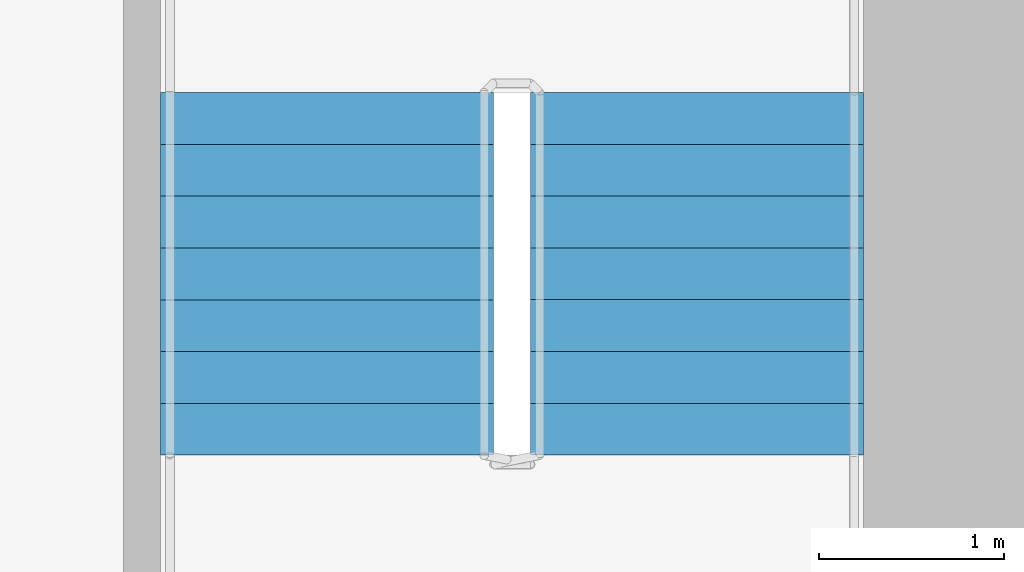
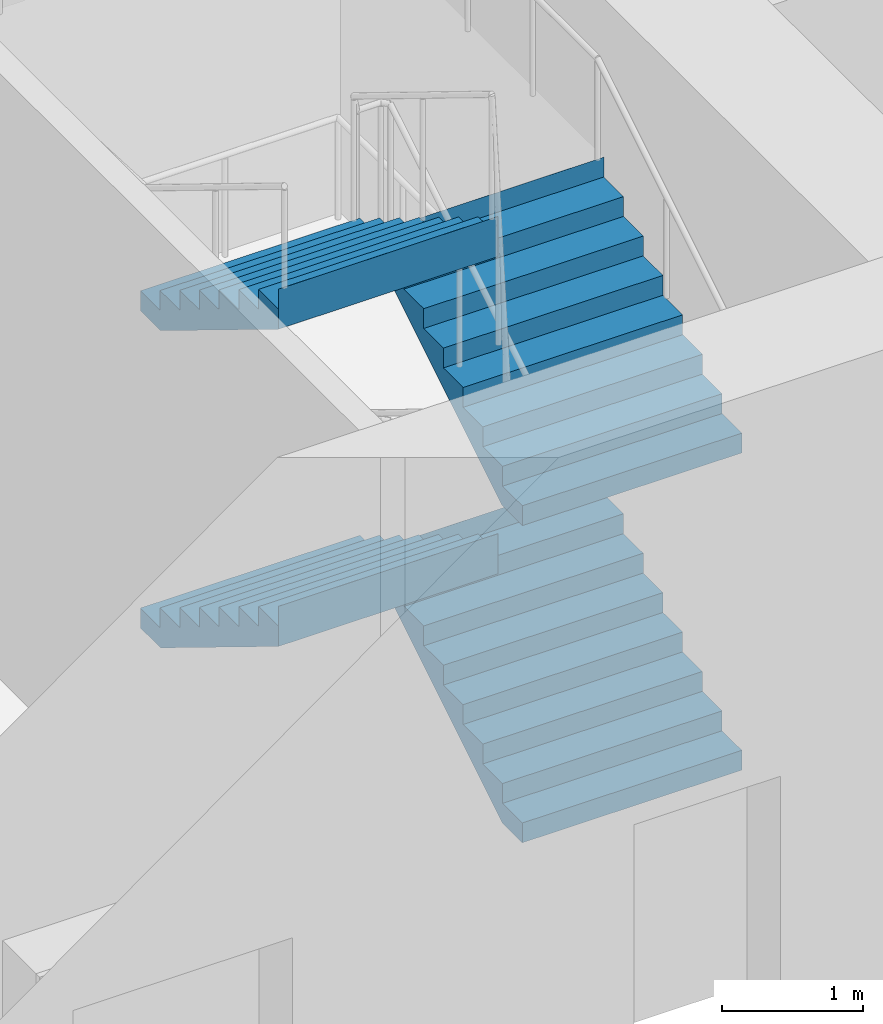
# One storey, part 7 of 10: 4 stair flights, 1 element without a shape of its own.
"""IFC4 building model written with IfcOpenShell, lengths in metres."""

from ifc_helpers import new_model, si_unit, direction, frame, origin, place, context, subcontext, project, spatial, polyline, outline, extrude, material, type_object, element, aggregate, save


model = new_model("IFC4")

# Units and contexts
model_context = context("Model", 3, precision=1e-05, world=origin(), true_north=direction((0.0, 1.0)))
body_context = subcontext(model_context, "Body", "Model", "MODEL_VIEW")
ifc_project = project(units=[si_unit("LENGTHUNIT", "METRE"), si_unit("AREAUNIT", "SQUARE_METRE"), si_unit("VOLUMEUNIT", "CUBIC_METRE"), si_unit("PLANEANGLEUNIT", "RADIAN"), si_unit("MASSUNIT", "GRAM", prefix="KILO")], contexts=[model_context])

# Site, building, storey
site_placement = place(None, origin())
site = spatial("IfcSite", under=ifc_project, at=site_placement, CompositionType="ELEMENT")
building_placement = place(site_placement, origin())
building = spatial("IfcBuilding", under=site, at=building_placement, Name="Tamorin Gate", CompositionType="ELEMENT")
storey_placement = place(building_placement, frame((0.0, 0.0, 73.60009765625)))
storey = spatial("IfcBuildingStorey", under=building, at=storey_placement, Name="L17", CompositionType="ELEMENT", Elevation=73.60009765625)

# Stair, stair flights
ifc_material = material(Name="Concrete C40/50", Category="concrete")
stair_type = type_object("IfcStairType", Name="Exit stair", PredefinedType="HALF_TURN_STAIR", material=ifc_material)
stair_placement = place(storey_placement, origin())
stair = element("IfcStair", 1, at=stair_placement, inside=storey, type_object=stair_type, Name="L17 stair ST3", PredefinedType="HALF_TURN_STAIR")
stair_flight_type = type_object("IfcStairFlightType", Name="Exit stair flight", PredefinedType="STRAIGHT", material=ifc_material)
stair_flight_1_placement = place(storey_placement, frame((58.10009765625, 62.800048828125, 0.0), z_axis=(0.0, 0.0, 1.0), x_axis=(0.0, 1.0, 0.0)))
stair_flight_1 = element("IfcStairFlight", 2, at=stair_flight_1_placement, type_object=stair_flight_type, Name="ST3 flight 1", NumberOfRisers=8, NumberOfTreads=7, PredefinedType="STRAIGHT", RiserHeight=0.171875, TreadLength=0.28, context=body_context, shape_type="SweptSolid", body=[
    extrude(outline(polyline([(-0.00048828125, 0.0), (-0.00048828125, 0.001708984375), (-0.00048828125, 0.00341796875), (-0.00048828125, 0.005126953125), (-0.00048828125, 0.0068359375), (-0.00048828125, 0.008544921875), (-0.00048828125, 0.01025390625), (-0.00048828125, 0.011962890625), (-0.00048828125, 0.013671875), (-0.00048828125, 0.015380859375), (-0.00048828125, 0.01708984375), (-0.00048828125, 0.018798828125), (-0.00048828125, 0.0205078125), (-0.00048828125, 0.022216796875), (-0.00048828125, 0.02392578125), (-0.00048828125, 0.025634765625), (-0.00048828125, 0.02734375), (-0.00048828125, 0.02880859375), (-0.00048828125, 0.030517578125), (-0.00048828125, 0.0322265625), (-0.00048828125, 0.033935546875), (-0.00048828125, 0.03564453125), (-0.00048828125, 0.037353515625), (-0.00048828125, 0.0390625), (-0.00048828125, 0.040771484375), (-0.00048828125, 0.04248046875), (-0.00048828125, 0.044189453125), (-0.00048828125, 0.0458984375), (-0.00048828125, 0.047607421875), (-0.00048828125, 0.04931640625), (-0.00048828125, 0.051025390625), (-0.00048828125, 0.052734375), (-0.00048828125, 0.054443359375), (-0.00048828125, 0.05615234375), (-0.00048828125, 0.057861328125), (-0.00048828125, 0.0595703125), (-0.00048828125, 0.061279296875), (-0.00048828125, 0.06298828125), (-0.00048828125, 0.064697265625), (-0.00048828125, 0.06640625), (-0.00048828125, 0.068115234375), (-0.00048828125, 0.06982421875), (-0.00048828125, 0.071533203125), (-0.00048828125, 0.0732421875), (-0.00048828125, 0.074951171875), (-0.00048828125, 0.07666015625), (-0.00048828125, 0.078369140625), (-0.00048828125, 0.080078125), (-0.00048828125, 0.081787109375), (-0.00048828125, 0.08349609375), (-0.00048828125, 0.085205078125), (-0.00048828125, 0.086669921875), (-0.00048828125, 0.08837890625), (-0.00048828125, 0.090087890625), (-0.00048828125, 0.091796875), (-0.00048828125, 0.093505859375), (-0.00048828125, 0.09521484375), (-0.00048828125, 0.096923828125), (-0.00048828125, 0.0986328125), (-0.00048828125, 0.100341796875), (-0.00048828125, 0.10205078125), (-0.00048828125, 0.103759765625), (-0.00048828125, 0.10546875), (-0.00048828125, 0.107177734375), (-0.00048828125, 0.10888671875), (-0.00048828125, 0.110595703125), (-0.00048828125, 0.1123046875), (-0.00048828125, 0.114013671875), (-0.00048828125, 0.11572265625), (-0.00048828125, 0.117431640625), (-0.00048828125, 0.119140625), (-0.00048828125, 0.120849609375), (-0.00048828125, 0.12255859375), (-0.00048828125, 0.124267578125), (-0.00048828125, 0.1259765625), (-0.00048828125, 0.127685546875), (-0.00048828125, 0.12939453125), (-0.00048828125, 0.131103515625), (-0.00048828125, 0.1328125), (-0.00048828125, 0.134521484375), (-0.00048828125, 0.13623046875), (-0.00048828125, 0.137939453125), (-0.00048828125, 0.1396484375), (-0.00048828125, 0.141357421875), (-0.00048828125, 0.14306640625), (-0.00048828125, 0.14453125), (-0.00048828125, 0.146240234375), (-0.00048828125, 0.14794921875), (-0.00048828125, 0.149658203125), (-0.00048828125, 0.1513671875), (-0.00048828125, 0.153076171875), (-0.00048828125, 0.15478515625), (-0.00048828125, 0.156494140625), (-0.00048828125, 0.158203125), (-0.00048828125, 0.159912109375), (-0.00048828125, 0.16162109375), (-0.00048828125, 0.163330078125), (-0.00048828125, 0.1650390625), (-0.00048828125, 0.166748046875), (-0.00048828125, 0.16845703125), (-0.00048828125, 0.170166015625), (-0.00048828125, 0.171875), (0.280029296875, 0.171875), (0.280029296875, 0.34375), (0.56005859375, 0.34375), (0.56005859375, 0.515625), (0.840087890625, 0.515625), (0.840087890625, 0.6875), (1.1201171875, 0.6875), (1.1201171875, 0.859375), (1.39990234375, 0.859375), (1.39990234375, 1.03125), (1.679931640625, 1.03125), (1.679931640625, 1.203125), (1.9599609375, 1.203125), (1.9599609375, 1.375), (1.96044921875, 1.375), (1.96044921875, 1.37158203125), (1.96044921875, 1.3681640625), (1.96044921875, 1.36474609375), (1.96044921875, 1.361328125), (1.96044921875, 1.357666015625), (1.96044921875, 1.354248046875), (1.96044921875, 1.350830078125), (1.96044921875, 1.347412109375), (1.96044921875, 1.343994140625), (1.96044921875, 1.340576171875), (1.96044921875, 1.337158203125), (1.96044921875, 1.333740234375), (1.96044921875, 1.330322265625), (1.96044921875, 1.326904296875), (1.96044921875, 1.3232421875), (1.96044921875, 1.31982421875), (1.96044921875, 1.31640625), (1.96044921875, 1.31298828125), (1.96044921875, 1.3095703125), (1.96044921875, 1.30615234375), (1.96044921875, 1.302734375), (1.96044921875, 1.29931640625), (1.96044921875, 1.2958984375), (1.96044921875, 1.29248046875), (1.96044921875, 1.288818359375), (1.96044921875, 1.285400390625), (1.96044921875, 1.281982421875), (1.96044921875, 1.278564453125), (1.96044921875, 1.275146484375), (1.96044921875, 1.271728515625), (1.96044921875, 1.268310546875), (1.96044921875, 1.264892578125), (1.96044921875, 1.261474609375), (1.96044921875, 1.2578125), (1.96044921875, 1.25439453125), (1.96044921875, 1.2509765625), (1.96044921875, 1.24755859375), (1.96044921875, 1.244140625), (1.96044921875, 1.24072265625), (1.96044921875, 1.2373046875), (1.96044921875, 1.23388671875), (1.96044921875, 1.23046875), (1.96044921875, 1.22705078125), (1.96044921875, 1.223388671875), (1.96044921875, 1.219970703125), (1.96044921875, 1.216552734375), (1.96044921875, 1.213134765625), (1.96044921875, 1.209716796875), (1.96044921875, 1.206298828125), (1.96044921875, 1.202880859375), (1.96044921875, 1.199462890625), (1.96044921875, 1.196044921875), (1.96044921875, 1.192626953125), (1.96044921875, 1.18896484375), (1.96044921875, 1.185546875), (1.96044921875, 1.18212890625), (1.96044921875, 1.1787109375), (1.96044921875, 1.17529296875), (1.96044921875, 1.171875), (1.96044921875, 1.16845703125), (1.96044921875, 1.1650390625), (1.96044921875, 1.16162109375), (1.96044921875, 1.157958984375), (1.96044921875, 1.154541015625), (1.96044921875, 1.151123046875), (1.96044921875, 1.147705078125), (1.96044921875, 1.144287109375), (1.96044921875, 1.140869140625), (1.96044921875, 1.137451171875), (1.96044921875, 1.134033203125), (1.96044921875, 1.130615234375), (1.96044921875, 1.127197265625), (1.96044921875, 1.12353515625), (1.96044921875, 1.1201171875), (1.96044921875, 1.11669921875), (1.96044921875, 1.11328125), (1.96044921875, 1.10986328125), (1.96044921875, 1.1064453125), (1.96044921875, 1.10302734375), (1.96044921875, 1.099609375), (1.96044921875, 1.09619140625), (1.96044921875, 1.0927734375), (1.96044921875, 1.089111328125), (1.96044921875, 1.085693359375), (1.96044921875, 1.082275390625), (1.96044921875, 1.078857421875), (1.96044921875, 1.075439453125), (1.96044921875, 1.072021484375), (1.96044921875, 1.068603515625), (1.96044921875, 1.065185546875), (1.96044921875, 1.061767578125), (1.96044921875, 1.05810546875), (1.96044921875, 1.0546875), (1.96044921875, 1.05126953125), (1.96044921875, 1.0478515625), (1.96044921875, 1.04443359375), (1.96044921875, 1.041015625), (1.96044921875, 1.03759765625), (1.96044921875, 1.0341796875), (1.96044921875, 1.03076171875), (1.96044921875, 1.02734375), (1.9599609375, 1.02734375), (0.28662109375, 0.0), (-0.00048828125, 0.0)])), frame((0.0, 0.89990234375, 0.0), z_axis=(0.0, -1.0, 0.0), x_axis=(1.0, 0.0, 0.0)), (0.0, 0.0, 1.0), 1.800048828125),
])
stair_flight_2_placement = place(storey_placement, frame((56.10009765625, 64.760009765625, 1.375), z_axis=(0.0, 0.0, 1.0), x_axis=(0.0, -1.0, 0.0)))
stair_flight_2 = element("IfcStairFlight", 3, at=stair_flight_2_placement, type_object=stair_flight_type, Name="ST3 flight 2", NumberOfRisers=8, NumberOfTreads=7, PredefinedType="STRAIGHT", RiserHeight=0.171875, TreadLength=0.28, context=body_context, shape_type="SweptSolid", body=[
    extrude(outline(polyline([(-0.00048828125, 0.0), (-0.00048828125, 0.001708984375), (-0.00048828125, 0.00341796875), (-0.00048828125, 0.005126953125), (-0.00048828125, 0.0068359375), (-0.00048828125, 0.008544921875), (-0.00048828125, 0.01025390625), (-0.00048828125, 0.011962890625), (-0.00048828125, 0.013671875), (-0.00048828125, 0.015380859375), (-0.00048828125, 0.01708984375), (-0.00048828125, 0.018798828125), (-0.00048828125, 0.0205078125), (-0.00048828125, 0.022216796875), (-0.00048828125, 0.02392578125), (-0.00048828125, 0.025634765625), (-0.00048828125, 0.02734375), (-0.00048828125, 0.02880859375), (-0.00048828125, 0.030517578125), (-0.00048828125, 0.0322265625), (-0.00048828125, 0.033935546875), (-0.00048828125, 0.03564453125), (-0.00048828125, 0.037353515625), (-0.00048828125, 0.0390625), (-0.00048828125, 0.040771484375), (-0.00048828125, 0.04248046875), (-0.00048828125, 0.044189453125), (-0.00048828125, 0.0458984375), (-0.00048828125, 0.047607421875), (-0.00048828125, 0.04931640625), (-0.00048828125, 0.051025390625), (-0.00048828125, 0.052734375), (-0.00048828125, 0.054443359375), (-0.00048828125, 0.05615234375), (-0.00048828125, 0.057861328125), (-0.00048828125, 0.0595703125), (-0.00048828125, 0.061279296875), (-0.00048828125, 0.06298828125), (-0.00048828125, 0.064697265625), (-0.00048828125, 0.06640625), (-0.00048828125, 0.068115234375), (-0.00048828125, 0.06982421875), (-0.00048828125, 0.071533203125), (-0.00048828125, 0.0732421875), (-0.00048828125, 0.074951171875), (-0.00048828125, 0.07666015625), (-0.00048828125, 0.078369140625), (-0.00048828125, 0.080078125), (-0.00048828125, 0.081787109375), (-0.00048828125, 0.08349609375), (-0.00048828125, 0.085205078125), (-0.00048828125, 0.086669921875), (-0.00048828125, 0.08837890625), (-0.00048828125, 0.090087890625), (-0.00048828125, 0.091796875), (-0.00048828125, 0.093505859375), (-0.00048828125, 0.09521484375), (-0.00048828125, 0.096923828125), (-0.00048828125, 0.0986328125), (-0.00048828125, 0.100341796875), (-0.00048828125, 0.10205078125), (-0.00048828125, 0.103759765625), (-0.00048828125, 0.10546875), (-0.00048828125, 0.107177734375), (-0.00048828125, 0.10888671875), (-0.00048828125, 0.110595703125), (-0.00048828125, 0.1123046875), (-0.00048828125, 0.114013671875), (-0.00048828125, 0.11572265625), (-0.00048828125, 0.117431640625), (-0.00048828125, 0.119140625), (-0.00048828125, 0.120849609375), (-0.00048828125, 0.12255859375), (-0.00048828125, 0.124267578125), (-0.00048828125, 0.1259765625), (-0.00048828125, 0.127685546875), (-0.00048828125, 0.12939453125), (-0.00048828125, 0.131103515625), (-0.00048828125, 0.1328125), (-0.00048828125, 0.134521484375), (-0.00048828125, 0.13623046875), (-0.00048828125, 0.137939453125), (-0.00048828125, 0.1396484375), (-0.00048828125, 0.141357421875), (-0.00048828125, 0.14306640625), (-0.00048828125, 0.14453125), (-0.00048828125, 0.146240234375), (-0.00048828125, 0.14794921875), (-0.00048828125, 0.149658203125), (-0.00048828125, 0.1513671875), (-0.00048828125, 0.153076171875), (-0.00048828125, 0.15478515625), (-0.00048828125, 0.156494140625), (-0.00048828125, 0.158203125), (-0.00048828125, 0.159912109375), (-0.00048828125, 0.16162109375), (-0.00048828125, 0.163330078125), (-0.00048828125, 0.1650390625), (-0.00048828125, 0.166748046875), (-0.00048828125, 0.16845703125), (-0.00048828125, 0.170166015625), (-0.00048828125, 0.171875), (0.280029296875, 0.171875), (0.280029296875, 0.34375), (0.56005859375, 0.34375), (0.56005859375, 0.515625), (0.840087890625, 0.515625), (0.840087890625, 0.6875), (1.1201171875, 0.6875), (1.1201171875, 0.859375), (1.39990234375, 0.859375), (1.39990234375, 1.03125), (1.679931640625, 1.03125), (1.679931640625, 1.203125), (1.9599609375, 1.203125), (1.9599609375, 1.375), (1.96044921875, 1.375), (1.96044921875, 1.37158203125), (1.96044921875, 1.3681640625), (1.96044921875, 1.36474609375), (1.96044921875, 1.361328125), (1.96044921875, 1.357666015625), (1.96044921875, 1.354248046875), (1.96044921875, 1.350830078125), (1.96044921875, 1.347412109375), (1.96044921875, 1.343994140625), (1.96044921875, 1.340576171875), (1.96044921875, 1.337158203125), (1.96044921875, 1.333740234375), (1.96044921875, 1.330322265625), (1.96044921875, 1.326904296875), (1.96044921875, 1.3232421875), (1.96044921875, 1.31982421875), (1.96044921875, 1.31640625), (1.96044921875, 1.31298828125), (1.96044921875, 1.3095703125), (1.96044921875, 1.30615234375), (1.96044921875, 1.302734375), (1.96044921875, 1.29931640625), (1.96044921875, 1.2958984375), (1.96044921875, 1.29248046875), (1.96044921875, 1.288818359375), (1.96044921875, 1.285400390625), (1.96044921875, 1.281982421875), (1.96044921875, 1.278564453125), (1.96044921875, 1.275146484375), (1.96044921875, 1.271728515625), (1.96044921875, 1.268310546875), (1.96044921875, 1.264892578125), (1.96044921875, 1.261474609375), (1.96044921875, 1.2578125), (1.96044921875, 1.25439453125), (1.96044921875, 1.2509765625), (1.96044921875, 1.24755859375), (1.96044921875, 1.244140625), (1.96044921875, 1.24072265625), (1.96044921875, 1.2373046875), (1.96044921875, 1.23388671875), (1.96044921875, 1.23046875), (1.96044921875, 1.22705078125), (1.96044921875, 1.223388671875), (1.96044921875, 1.219970703125), (1.96044921875, 1.216552734375), (1.96044921875, 1.213134765625), (1.96044921875, 1.209716796875), (1.96044921875, 1.206298828125), (1.96044921875, 1.202880859375), (1.96044921875, 1.199462890625), (1.96044921875, 1.196044921875), (1.96044921875, 1.192626953125), (1.96044921875, 1.18896484375), (1.96044921875, 1.185546875), (1.96044921875, 1.18212890625), (1.96044921875, 1.1787109375), (1.96044921875, 1.17529296875), (1.96044921875, 1.171875), (1.96044921875, 1.16845703125), (1.96044921875, 1.1650390625), (1.96044921875, 1.16162109375), (1.96044921875, 1.157958984375), (1.96044921875, 1.154541015625), (1.96044921875, 1.151123046875), (1.96044921875, 1.147705078125), (1.96044921875, 1.144287109375), (1.96044921875, 1.140869140625), (1.96044921875, 1.137451171875), (1.96044921875, 1.134033203125), (1.96044921875, 1.130615234375), (1.96044921875, 1.127197265625), (1.96044921875, 1.12353515625), (1.96044921875, 1.1201171875), (1.96044921875, 1.11669921875), (1.96044921875, 1.11328125), (1.96044921875, 1.10986328125), (1.96044921875, 1.1064453125), (1.96044921875, 1.10302734375), (1.96044921875, 1.099609375), (1.96044921875, 1.09619140625), (1.96044921875, 1.0927734375), (1.96044921875, 1.089111328125), (1.96044921875, 1.085693359375), (1.96044921875, 1.082275390625), (1.96044921875, 1.078857421875), (1.96044921875, 1.075439453125), (1.96044921875, 1.072021484375), (1.96044921875, 1.068603515625), (1.96044921875, 1.065185546875), (1.96044921875, 1.061767578125), (1.96044921875, 1.05810546875), (1.96044921875, 1.0546875), (1.96044921875, 1.05126953125), (1.96044921875, 1.0478515625), (1.96044921875, 1.04443359375), (1.96044921875, 1.041015625), (1.96044921875, 1.03759765625), (1.96044921875, 1.0341796875), (1.96044921875, 1.03076171875), (1.96044921875, 1.02734375), (1.9599609375, 1.02734375), (0.28662109375, 0.0), (-0.00048828125, 0.0)])), frame((0.0, 0.89990234375, 0.0), z_axis=(0.0, -1.0, 0.0), x_axis=(1.0, 0.0, 0.0)), (0.0, 0.0, 1.0), 1.800048828125),
])
stair_flight_3_placement = place(storey_placement, frame((58.10009765625, 62.800048828125, 2.75), z_axis=(0.0, 0.0, 1.0), x_axis=(0.0, 1.0, 0.0)))
stair_flight_3 = element("IfcStairFlight", 4, at=stair_flight_3_placement, type_object=stair_flight_type, Name="ST3 flight 3", NumberOfRisers=8, NumberOfTreads=7, PredefinedType="STRAIGHT", RiserHeight=0.171875, TreadLength=0.28, context=body_context, shape_type="SweptSolid", body=[
    extrude(outline(polyline([(-0.00048828125, 0.0), (-0.00048828125, 0.001708984375), (-0.00048828125, 0.00341796875), (-0.00048828125, 0.005126953125), (-0.00048828125, 0.0068359375), (-0.00048828125, 0.008544921875), (-0.00048828125, 0.01025390625), (-0.00048828125, 0.011962890625), (-0.00048828125, 0.013671875), (-0.00048828125, 0.015380859375), (-0.00048828125, 0.01708984375), (-0.00048828125, 0.018798828125), (-0.00048828125, 0.0205078125), (-0.00048828125, 0.022216796875), (-0.00048828125, 0.02392578125), (-0.00048828125, 0.025634765625), (-0.00048828125, 0.02734375), (-0.00048828125, 0.02880859375), (-0.00048828125, 0.030517578125), (-0.00048828125, 0.0322265625), (-0.00048828125, 0.033935546875), (-0.00048828125, 0.03564453125), (-0.00048828125, 0.037353515625), (-0.00048828125, 0.0390625), (-0.00048828125, 0.040771484375), (-0.00048828125, 0.04248046875), (-0.00048828125, 0.044189453125), (-0.00048828125, 0.0458984375), (-0.00048828125, 0.047607421875), (-0.00048828125, 0.04931640625), (-0.00048828125, 0.051025390625), (-0.00048828125, 0.052734375), (-0.00048828125, 0.054443359375), (-0.00048828125, 0.05615234375), (-0.00048828125, 0.057861328125), (-0.00048828125, 0.0595703125), (-0.00048828125, 0.061279296875), (-0.00048828125, 0.06298828125), (-0.00048828125, 0.064697265625), (-0.00048828125, 0.06640625), (-0.00048828125, 0.068115234375), (-0.00048828125, 0.06982421875), (-0.00048828125, 0.071533203125), (-0.00048828125, 0.0732421875), (-0.00048828125, 0.074951171875), (-0.00048828125, 0.07666015625), (-0.00048828125, 0.078369140625), (-0.00048828125, 0.080078125), (-0.00048828125, 0.081787109375), (-0.00048828125, 0.08349609375), (-0.00048828125, 0.085205078125), (-0.00048828125, 0.086669921875), (-0.00048828125, 0.08837890625), (-0.00048828125, 0.090087890625), (-0.00048828125, 0.091796875), (-0.00048828125, 0.093505859375), (-0.00048828125, 0.09521484375), (-0.00048828125, 0.096923828125), (-0.00048828125, 0.0986328125), (-0.00048828125, 0.100341796875), (-0.00048828125, 0.10205078125), (-0.00048828125, 0.103759765625), (-0.00048828125, 0.10546875), (-0.00048828125, 0.107177734375), (-0.00048828125, 0.10888671875), (-0.00048828125, 0.110595703125), (-0.00048828125, 0.1123046875), (-0.00048828125, 0.114013671875), (-0.00048828125, 0.11572265625), (-0.00048828125, 0.117431640625), (-0.00048828125, 0.119140625), (-0.00048828125, 0.120849609375), (-0.00048828125, 0.12255859375), (-0.00048828125, 0.124267578125), (-0.00048828125, 0.1259765625), (-0.00048828125, 0.127685546875), (-0.00048828125, 0.12939453125), (-0.00048828125, 0.131103515625), (-0.00048828125, 0.1328125), (-0.00048828125, 0.134521484375), (-0.00048828125, 0.13623046875), (-0.00048828125, 0.137939453125), (-0.00048828125, 0.1396484375), (-0.00048828125, 0.141357421875), (-0.00048828125, 0.14306640625), (-0.00048828125, 0.14453125), (-0.00048828125, 0.146240234375), (-0.00048828125, 0.14794921875), (-0.00048828125, 0.149658203125), (-0.00048828125, 0.1513671875), (-0.00048828125, 0.153076171875), (-0.00048828125, 0.15478515625), (-0.00048828125, 0.156494140625), (-0.00048828125, 0.158203125), (-0.00048828125, 0.159912109375), (-0.00048828125, 0.16162109375), (-0.00048828125, 0.163330078125), (-0.00048828125, 0.1650390625), (-0.00048828125, 0.166748046875), (-0.00048828125, 0.16845703125), (-0.00048828125, 0.170166015625), (-0.00048828125, 0.171875), (0.280029296875, 0.171875), (0.280029296875, 0.34375), (0.56005859375, 0.34375), (0.56005859375, 0.515625), (0.840087890625, 0.515625), (0.840087890625, 0.6875), (1.1201171875, 0.6875), (1.1201171875, 0.859375), (1.39990234375, 0.859375), (1.39990234375, 1.03125), (1.679931640625, 1.03125), (1.679931640625, 1.203125), (1.9599609375, 1.203125), (1.9599609375, 1.375), (1.96044921875, 1.375), (1.96044921875, 1.37158203125), (1.96044921875, 1.3681640625), (1.96044921875, 1.36474609375), (1.96044921875, 1.361328125), (1.96044921875, 1.357666015625), (1.96044921875, 1.354248046875), (1.96044921875, 1.350830078125), (1.96044921875, 1.347412109375), (1.96044921875, 1.343994140625), (1.96044921875, 1.340576171875), (1.96044921875, 1.337158203125), (1.96044921875, 1.333740234375), (1.96044921875, 1.330322265625), (1.96044921875, 1.326904296875), (1.96044921875, 1.3232421875), (1.96044921875, 1.31982421875), (1.96044921875, 1.31640625), (1.96044921875, 1.31298828125), (1.96044921875, 1.3095703125), (1.96044921875, 1.30615234375), (1.96044921875, 1.302734375), (1.96044921875, 1.29931640625), (1.96044921875, 1.2958984375), (1.96044921875, 1.29248046875), (1.96044921875, 1.288818359375), (1.96044921875, 1.285400390625), (1.96044921875, 1.281982421875), (1.96044921875, 1.278564453125), (1.96044921875, 1.275146484375), (1.96044921875, 1.271728515625), (1.96044921875, 1.268310546875), (1.96044921875, 1.264892578125), (1.96044921875, 1.261474609375), (1.96044921875, 1.2578125), (1.96044921875, 1.25439453125), (1.96044921875, 1.2509765625), (1.96044921875, 1.24755859375), (1.96044921875, 1.244140625), (1.96044921875, 1.24072265625), (1.96044921875, 1.2373046875), (1.96044921875, 1.23388671875), (1.96044921875, 1.23046875), (1.96044921875, 1.22705078125), (1.96044921875, 1.223388671875), (1.96044921875, 1.219970703125), (1.96044921875, 1.216552734375), (1.96044921875, 1.213134765625), (1.96044921875, 1.209716796875), (1.96044921875, 1.206298828125), (1.96044921875, 1.202880859375), (1.96044921875, 1.199462890625), (1.96044921875, 1.196044921875), (1.96044921875, 1.192626953125), (1.96044921875, 1.18896484375), (1.96044921875, 1.185546875), (1.96044921875, 1.18212890625), (1.96044921875, 1.1787109375), (1.96044921875, 1.17529296875), (1.96044921875, 1.171875), (1.96044921875, 1.16845703125), (1.96044921875, 1.1650390625), (1.96044921875, 1.16162109375), (1.96044921875, 1.157958984375), (1.96044921875, 1.154541015625), (1.96044921875, 1.151123046875), (1.96044921875, 1.147705078125), (1.96044921875, 1.144287109375), (1.96044921875, 1.140869140625), (1.96044921875, 1.137451171875), (1.96044921875, 1.134033203125), (1.96044921875, 1.130615234375), (1.96044921875, 1.127197265625), (1.96044921875, 1.12353515625), (1.96044921875, 1.1201171875), (1.96044921875, 1.11669921875), (1.96044921875, 1.11328125), (1.96044921875, 1.10986328125), (1.96044921875, 1.1064453125), (1.96044921875, 1.10302734375), (1.96044921875, 1.099609375), (1.96044921875, 1.09619140625), (1.96044921875, 1.0927734375), (1.96044921875, 1.089111328125), (1.96044921875, 1.085693359375), (1.96044921875, 1.082275390625), (1.96044921875, 1.078857421875), (1.96044921875, 1.075439453125), (1.96044921875, 1.072021484375), (1.96044921875, 1.068603515625), (1.96044921875, 1.065185546875), (1.96044921875, 1.061767578125), (1.96044921875, 1.05810546875), (1.96044921875, 1.0546875), (1.96044921875, 1.05126953125), (1.96044921875, 1.0478515625), (1.96044921875, 1.04443359375), (1.96044921875, 1.041015625), (1.96044921875, 1.03759765625), (1.96044921875, 1.0341796875), (1.96044921875, 1.03076171875), (1.96044921875, 1.02734375), (1.9599609375, 1.02734375), (0.28662109375, 0.0), (-0.00048828125, 0.0)])), frame((0.0, 0.89990234375, 0.0), z_axis=(0.0, -1.0, 0.0), x_axis=(1.0, 0.0, 0.0)), (0.0, 0.0, 1.0), 1.800048828125),
])
stair_flight_4_placement = place(storey_placement, frame((56.10009765625, 64.760009765625, 4.125), z_axis=(0.0, 0.0, 1.0), x_axis=(0.0, -1.0, 0.0)))
stair_flight_4 = element("IfcStairFlight", 5, at=stair_flight_4_placement, type_object=stair_flight_type, Name="ST3 flight 4", NumberOfRisers=8, NumberOfTreads=7, PredefinedType="STRAIGHT", RiserHeight=0.171875, TreadLength=0.28, context=body_context, shape_type="SweptSolid", body=[
    extrude(outline(polyline([(-0.00048828125, 0.0), (-0.00048828125, 0.001708984375), (-0.00048828125, 0.00341796875), (-0.00048828125, 0.005126953125), (-0.00048828125, 0.0068359375), (-0.00048828125, 0.008544921875), (-0.00048828125, 0.01025390625), (-0.00048828125, 0.011962890625), (-0.00048828125, 0.013671875), (-0.00048828125, 0.015380859375), (-0.00048828125, 0.01708984375), (-0.00048828125, 0.018798828125), (-0.00048828125, 0.0205078125), (-0.00048828125, 0.022216796875), (-0.00048828125, 0.02392578125), (-0.00048828125, 0.025634765625), (-0.00048828125, 0.02734375), (-0.00048828125, 0.02880859375), (-0.00048828125, 0.030517578125), (-0.00048828125, 0.0322265625), (-0.00048828125, 0.033935546875), (-0.00048828125, 0.03564453125), (-0.00048828125, 0.037353515625), (-0.00048828125, 0.0390625), (-0.00048828125, 0.040771484375), (-0.00048828125, 0.04248046875), (-0.00048828125, 0.044189453125), (-0.00048828125, 0.0458984375), (-0.00048828125, 0.047607421875), (-0.00048828125, 0.04931640625), (-0.00048828125, 0.051025390625), (-0.00048828125, 0.052734375), (-0.00048828125, 0.054443359375), (-0.00048828125, 0.05615234375), (-0.00048828125, 0.057861328125), (-0.00048828125, 0.0595703125), (-0.00048828125, 0.061279296875), (-0.00048828125, 0.06298828125), (-0.00048828125, 0.064697265625), (-0.00048828125, 0.06640625), (-0.00048828125, 0.068115234375), (-0.00048828125, 0.06982421875), (-0.00048828125, 0.071533203125), (-0.00048828125, 0.0732421875), (-0.00048828125, 0.074951171875), (-0.00048828125, 0.07666015625), (-0.00048828125, 0.078369140625), (-0.00048828125, 0.080078125), (-0.00048828125, 0.081787109375), (-0.00048828125, 0.08349609375), (-0.00048828125, 0.085205078125), (-0.00048828125, 0.086669921875), (-0.00048828125, 0.08837890625), (-0.00048828125, 0.090087890625), (-0.00048828125, 0.091796875), (-0.00048828125, 0.093505859375), (-0.00048828125, 0.09521484375), (-0.00048828125, 0.096923828125), (-0.00048828125, 0.0986328125), (-0.00048828125, 0.100341796875), (-0.00048828125, 0.10205078125), (-0.00048828125, 0.103759765625), (-0.00048828125, 0.10546875), (-0.00048828125, 0.107177734375), (-0.00048828125, 0.10888671875), (-0.00048828125, 0.110595703125), (-0.00048828125, 0.1123046875), (-0.00048828125, 0.114013671875), (-0.00048828125, 0.11572265625), (-0.00048828125, 0.117431640625), (-0.00048828125, 0.119140625), (-0.00048828125, 0.120849609375), (-0.00048828125, 0.12255859375), (-0.00048828125, 0.124267578125), (-0.00048828125, 0.1259765625), (-0.00048828125, 0.127685546875), (-0.00048828125, 0.12939453125), (-0.00048828125, 0.131103515625), (-0.00048828125, 0.1328125), (-0.00048828125, 0.134521484375), (-0.00048828125, 0.13623046875), (-0.00048828125, 0.137939453125), (-0.00048828125, 0.1396484375), (-0.00048828125, 0.141357421875), (-0.00048828125, 0.14306640625), (-0.00048828125, 0.14453125), (-0.00048828125, 0.146240234375), (-0.00048828125, 0.14794921875), (-0.00048828125, 0.149658203125), (-0.00048828125, 0.1513671875), (-0.00048828125, 0.153076171875), (-0.00048828125, 0.15478515625), (-0.00048828125, 0.156494140625), (-0.00048828125, 0.158203125), (-0.00048828125, 0.159912109375), (-0.00048828125, 0.16162109375), (-0.00048828125, 0.163330078125), (-0.00048828125, 0.1650390625), (-0.00048828125, 0.166748046875), (-0.00048828125, 0.16845703125), (-0.00048828125, 0.170166015625), (-0.00048828125, 0.171875), (0.280029296875, 0.171875), (0.280029296875, 0.34375), (0.56005859375, 0.34375), (0.56005859375, 0.515625), (0.840087890625, 0.515625), (0.840087890625, 0.6875), (1.1201171875, 0.6875), (1.1201171875, 0.859375), (1.39990234375, 0.859375), (1.39990234375, 1.03125), (1.679931640625, 1.03125), (1.679931640625, 1.203125), (1.9599609375, 1.203125), (1.9599609375, 1.375), (1.96044921875, 1.375), (1.96044921875, 1.37158203125), (1.96044921875, 1.3681640625), (1.96044921875, 1.36474609375), (1.96044921875, 1.361328125), (1.96044921875, 1.357666015625), (1.96044921875, 1.354248046875), (1.96044921875, 1.350830078125), (1.96044921875, 1.347412109375), (1.96044921875, 1.343994140625), (1.96044921875, 1.340576171875), (1.96044921875, 1.337158203125), (1.96044921875, 1.333740234375), (1.96044921875, 1.330322265625), (1.96044921875, 1.326904296875), (1.96044921875, 1.3232421875), (1.96044921875, 1.31982421875), (1.96044921875, 1.31640625), (1.96044921875, 1.31298828125), (1.96044921875, 1.3095703125), (1.96044921875, 1.30615234375), (1.96044921875, 1.302734375), (1.96044921875, 1.29931640625), (1.96044921875, 1.2958984375), (1.96044921875, 1.29248046875), (1.96044921875, 1.288818359375), (1.96044921875, 1.285400390625), (1.96044921875, 1.281982421875), (1.96044921875, 1.278564453125), (1.96044921875, 1.275146484375), (1.96044921875, 1.271728515625), (1.96044921875, 1.268310546875), (1.96044921875, 1.264892578125), (1.96044921875, 1.261474609375), (1.96044921875, 1.2578125), (1.96044921875, 1.25439453125), (1.96044921875, 1.2509765625), (1.96044921875, 1.24755859375), (1.96044921875, 1.244140625), (1.96044921875, 1.24072265625), (1.96044921875, 1.2373046875), (1.96044921875, 1.23388671875), (1.96044921875, 1.23046875), (1.96044921875, 1.22705078125), (1.96044921875, 1.223388671875), (1.96044921875, 1.219970703125), (1.96044921875, 1.216552734375), (1.96044921875, 1.213134765625), (1.96044921875, 1.209716796875), (1.96044921875, 1.206298828125), (1.96044921875, 1.202880859375), (1.96044921875, 1.199462890625), (1.96044921875, 1.196044921875), (1.96044921875, 1.192626953125), (1.96044921875, 1.18896484375), (1.96044921875, 1.185546875), (1.96044921875, 1.18212890625), (1.96044921875, 1.1787109375), (1.96044921875, 1.17529296875), (1.96044921875, 1.171875), (1.96044921875, 1.16845703125), (1.96044921875, 1.1650390625), (1.96044921875, 1.16162109375), (1.96044921875, 1.157958984375), (1.96044921875, 1.154541015625), (1.96044921875, 1.151123046875), (1.96044921875, 1.147705078125), (1.96044921875, 1.144287109375), (1.96044921875, 1.140869140625), (1.96044921875, 1.137451171875), (1.96044921875, 1.134033203125), (1.96044921875, 1.130615234375), (1.96044921875, 1.127197265625), (1.96044921875, 1.12353515625), (1.96044921875, 1.1201171875), (1.96044921875, 1.11669921875), (1.96044921875, 1.11328125), (1.96044921875, 1.10986328125), (1.96044921875, 1.1064453125), (1.96044921875, 1.10302734375), (1.96044921875, 1.099609375), (1.96044921875, 1.09619140625), (1.96044921875, 1.0927734375), (1.96044921875, 1.089111328125), (1.96044921875, 1.085693359375), (1.96044921875, 1.082275390625), (1.96044921875, 1.078857421875), (1.96044921875, 1.075439453125), (1.96044921875, 1.072021484375), (1.96044921875, 1.068603515625), (1.96044921875, 1.065185546875), (1.96044921875, 1.061767578125), (1.96044921875, 1.05810546875), (1.96044921875, 1.0546875), (1.96044921875, 1.05126953125), (1.96044921875, 1.0478515625), (1.96044921875, 1.04443359375), (1.96044921875, 1.041015625), (1.96044921875, 1.03759765625), (1.96044921875, 1.0341796875), (1.96044921875, 1.03076171875), (1.96044921875, 1.02734375), (1.9599609375, 1.02734375), (0.28662109375, 0.0), (-0.00048828125, 0.0)])), frame((0.0, 0.89990234375, 0.0), z_axis=(0.0, -1.0, 0.0), x_axis=(1.0, 0.0, 0.0)), (0.0, 0.0, 1.0), 1.800048828125),
])
aggregate(stair, [stair_flight_1, stair_flight_2, stair_flight_3, stair_flight_4])

save(model, "model.ifc")
